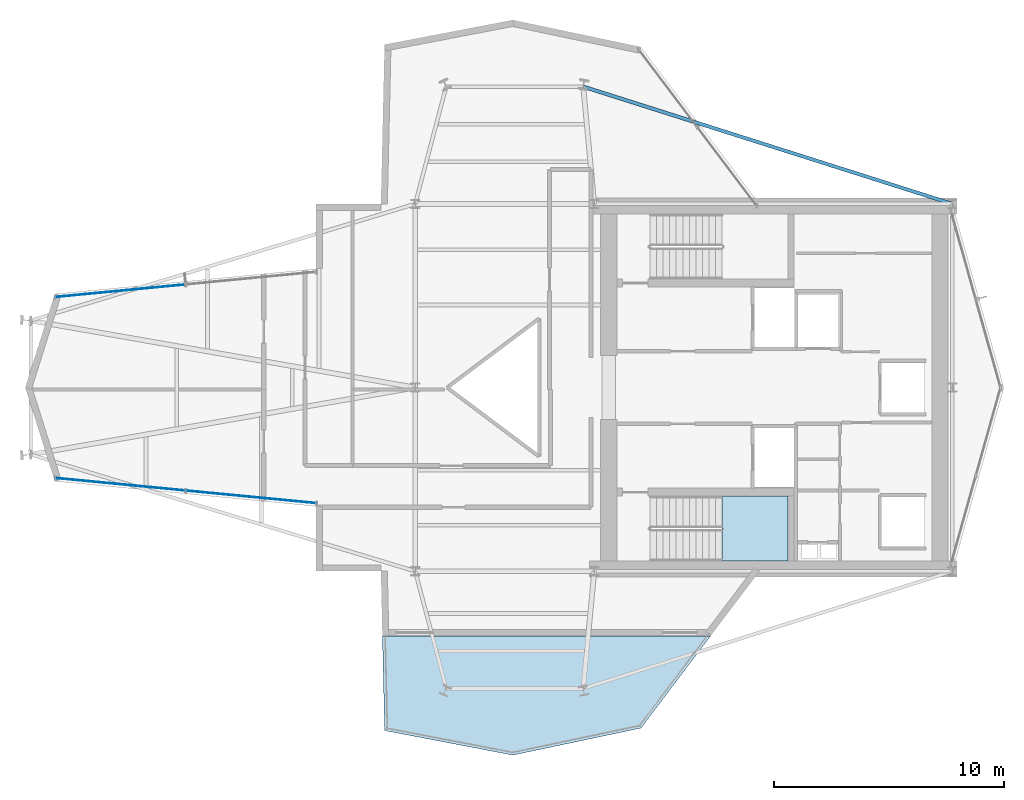
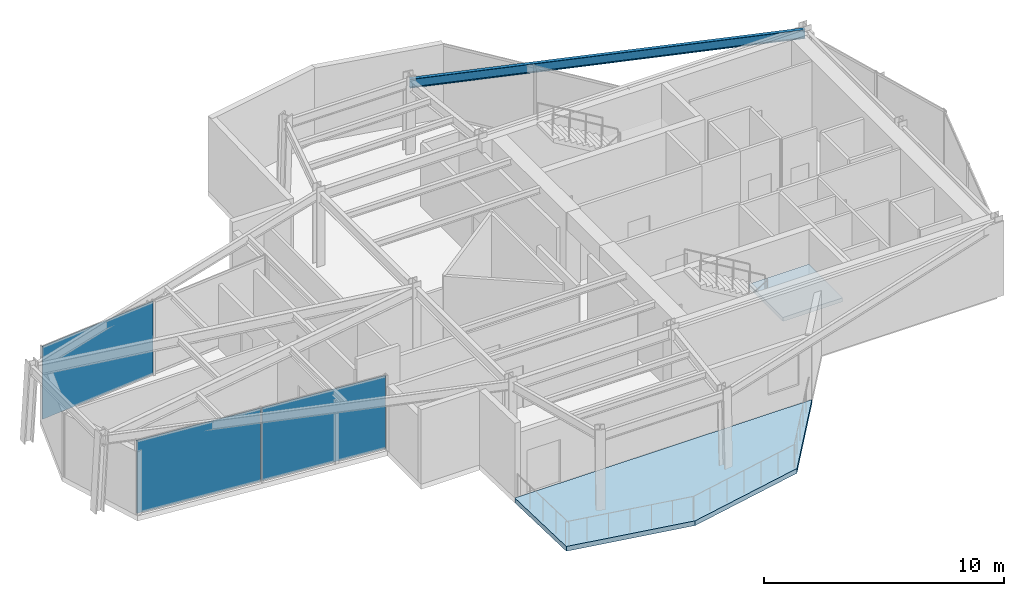
# One storey, part 14 of 21: 3 plates, 2 slabs, 1 beam, 3 elements without a shape of their own.
"""IFC4 building model written with IfcOpenShell, lengths in metres."""

from ifc_helpers import new_model, si_unit, direction, frame, origin, origin_2d, place, context, subcontext, project, spatial, polyline, rectangle, i_section, outline, extrude, material, layer, layer_set, material_profile, profile_set, type_object, element, aggregate, save


model = new_model("IFC4")

# Units and contexts
model_context = context("Model", 3, precision=1e-05, world=origin(), true_north=direction((0.0, 1.0)))
body_context = subcontext(model_context, "Body", "Model", "MODEL_VIEW")
ifc_project = project(units=[si_unit("LENGTHUNIT", "METRE"), si_unit("AREAUNIT", "SQUARE_METRE"), si_unit("VOLUMEUNIT", "CUBIC_METRE"), si_unit("PLANEANGLEUNIT", "RADIAN"), si_unit("MASSUNIT", "GRAM", prefix="KILO")], contexts=[model_context])

# Site, building, storey
site_placement = place(None, origin())
site = spatial("IfcSite", under=ifc_project, at=site_placement, CompositionType="ELEMENT")
building_placement = place(site_placement, origin())
building = spatial("IfcBuilding", under=site, at=building_placement, Name="Veymaron Broadcast Tower", CompositionType="ELEMENT")
storey_placement = place(building_placement, frame((0.0, 0.0, 240.449951171875)))
storey = spatial("IfcBuildingStorey", under=building, at=storey_placement, Name="L56", CompositionType="ELEMENT", Elevation=240.449951171875)

# Beam
ifc_material_1 = material(Name="Structural steel ASTM A992 Gr 50", Category="steel")
ifc_material_profile = material_profile(ifc_material_1, i_section(OverallWidth=0.154052734375, OverallDepth=0.458984375, WebThickness=0.009033203125, FlangeThickness=0.015380859375, at=origin_2d()), Name="W460X68")
ifc_profile_set = profile_set([ifc_material_profile], Name="Structural steel ASTM A992 Gr 50")
beam_type = type_object("IfcBeamType", Name="BM-SP2", PredefinedType="SPANDREL", material=ifc_profile_set)
beam_placement = place(storey_placement, frame((54.60009765625, 32.0, 3.560546875), z_axis=(-0.953081470831, 0.302713907772, 0.0), x_axis=(-0.302713907772, -0.953081470831, 0.0)))
element("IfcBeam", 1, at=beam_placement, inside=storey, type_object=beam_type, Name="L56 primary structural floor girder", PredefinedType="SPANDREL", context=body_context, shape_type="SweptSolid", body=[
    extrude(i_section(OverallWidth=0.154052734375, OverallDepth=0.458984375, WebThickness=0.009033203125, FlangeThickness=0.015380859375, at=origin_2d()), origin(), (0.0, 0.0, 1.0), 16.873779296875),
])

# Curtain wall, plate
ifc_material_2 = material(Name="Anodised aluminium AA 6063-T6 and laminated low-E dark glass", Category="aluminium")
ifc_layer_1 = layer(ifc_material_2, 0.179931640625)
ifc_layer_set_1 = layer_set([ifc_layer_1], Name="Anodised aluminium AA 6063-T6 and laminated low-E dark glass")
curtain_wall_type = type_object("IfcCurtainWallType", Name="CW-SYS-05", PredefinedType="NOTDEFINED", material=ifc_layer_set_1)
curtain_wall_1_placement = place(storey_placement, origin())
curtain_wall_1 = element("IfcCurtainWall", 2, at=curtain_wall_1_placement, inside=storey, type_object=curtain_wall_type, Name="L56 dark-glass curtain wall CW-L56-E13-1", PredefinedType="NOTDEFINED")
ifc_material_3 = material(Name="Double-silver solar-control dark glass IGU 32 mm", Category="glass")
ifc_layer_2 = layer(ifc_material_3, 0.031982421875)
ifc_layer_set_2 = layer_set([ifc_layer_2], Name="Double-silver solar-control dark glass IGU 32 mm")
plate_type = type_object("IfcPlateType", Name="CW-PNL-02", PredefinedType="CURTAIN_PANEL", material=ifc_layer_set_2)
plate_1_placement = place(storey_placement, frame((18.3603515625, 28.215087890625, 0.0400390625), z_axis=(0.0, 0.0, 1.0), x_axis=(-0.995399543409, -0.09581100658, 0.0)))
plate_1 = element("IfcPlate", 3, at=plate_1_placement, type_object=plate_type, Name="CW-L56-E13-1 unitised curtain panel 1", PredefinedType="CURTAIN_PANEL", context=body_context, shape_type="SweptSolid", body=[
    extrude(rectangle(XDim=5.660400390625, YDim=0.031982421875, at=origin_2d()), origin(), (0.0, 0.0, 1.0), 3.7099609375),
])
aggregate(curtain_wall_1, [plate_1])

# Curtain wall, plates
curtain_wall_2_placement = place(storey_placement, origin())
curtain_wall_2 = element("IfcCurtainWall", 4, at=curtain_wall_2_placement, inside=storey, type_object=curtain_wall_type, Name="L56 dark-glass curtain wall CW-L56-E16-1", PredefinedType="NOTDEFINED")
plate_2_placement = place(storey_placement, frame((18.3603515625, 19.784912109375, 0.0400390625), z_axis=(0.0, 0.0, 1.0), x_axis=(0.995399543409, -0.09581100658, 0.0)))
plate_2 = element("IfcPlate", 5, at=plate_2_placement, type_object=plate_type, Name="CW-L56-E16-1 unitised curtain panel 0", PredefinedType="CURTAIN_PANEL", context=body_context, shape_type="SweptSolid", body=[
    extrude(rectangle(XDim=5.660400390625, YDim=0.031982421875, at=origin_2d()), origin(), (0.0, 0.0, 1.0), 3.7099609375),
])
plate_3_placement = place(storey_placement, frame((24.054443359375, 19.23681640625, 0.0400390625), z_axis=(0.0, 0.0, 1.0), x_axis=(0.995399543409, -0.09581100658, 0.0)))
plate_3 = element("IfcPlate", 6, at=plate_3_placement, type_object=plate_type, Name="CW-L56-E16-1 unitised curtain panel 1", PredefinedType="CURTAIN_PANEL", context=body_context, shape_type="SweptSolid", body=[
    extrude(rectangle(XDim=5.660400390625, YDim=0.031982421875, at=origin_2d()), origin(), (0.0, 0.0, 1.0), 3.7099609375),
])
aggregate(curtain_wall_2, [plate_2, plate_3])

# Stair, slab
ifc_material_4 = material(Name="Concrete C50/60", Category="concrete")
stair_type = type_object("IfcStairType", Name="STAIR-CORE-2", PredefinedType="HALF_TURN_STAIR", material=ifc_material_4)
stair_placement = place(storey_placement, origin())
stair = element("IfcStair", 7, at=stair_placement, inside=storey, type_object=stair_type, Name="L56 South protected dog-leg exit stair ST2", PredefinedType="HALF_TURN_STAIR")
ifc_layer_3 = layer(ifc_material_4, 0.199951171875)
ifc_layer_set_3 = layer_set([ifc_layer_3], Name="Concrete C50/60")
slab_type_1 = type_object("IfcSlabType", Name="SLAB-STAIR-LDG", PredefinedType="LANDING", material=ifc_layer_set_3)
slab_1_placement = place(storey_placement, frame((0.0, 0.0, 1.824951171875)))
slab_1 = element("IfcSlab", 8, at=slab_1_placement, type_object=slab_type_1, Name="ST2 landing 1", PredefinedType="LANDING", context=body_context, shape_type="SweptSolid", body=[
    extrude(outline(polyline([(44.56494140625, 16.449951171875), (47.43994140625, 16.449951171875), (47.43994140625, 19.27001953125), (44.56494140625, 19.27001953125), (44.56494140625, 16.449951171875)])), origin(), (0.0, 0.0, 1.0), 0.2001953125),
])
aggregate(stair, [slab_1])

# Slab
ifc_material_5 = material(Name="Concrete C40/50", Category="concrete")
ifc_layer_4 = layer(ifc_material_5, 0.239990234375)
ifc_layer_set_4 = layer_set([ifc_layer_4], Name="Concrete C40/50")
slab_type_2 = type_object("IfcSlabType", Name="SLAB-TERR-250", PredefinedType="FLOOR", material=ifc_layer_set_4)
slab_2_placement = place(storey_placement, frame((0.0, 0.0, -0.239990234375)))
element("IfcSlab", 9, at=slab_2_placement, inside=storey, type_object=slab_type_2, Name="L56 outdoor sky terrace slab", PredefinedType="FLOOR", context=body_context, shape_type="SweptSolid", body=[
    extrude(outline(polyline([(41.03466796875, 9.166015625), (44.072998046875, 13.18896484375), (29.771484375, 13.18896484375), (29.8671875, 9.05908203125), (35.450927734375, 7.989013671875), (41.03466796875, 9.166015625)])), origin(), (0.0, 0.0, 1.0), 0.239990234375),
])

save(model, "model.ifc")
